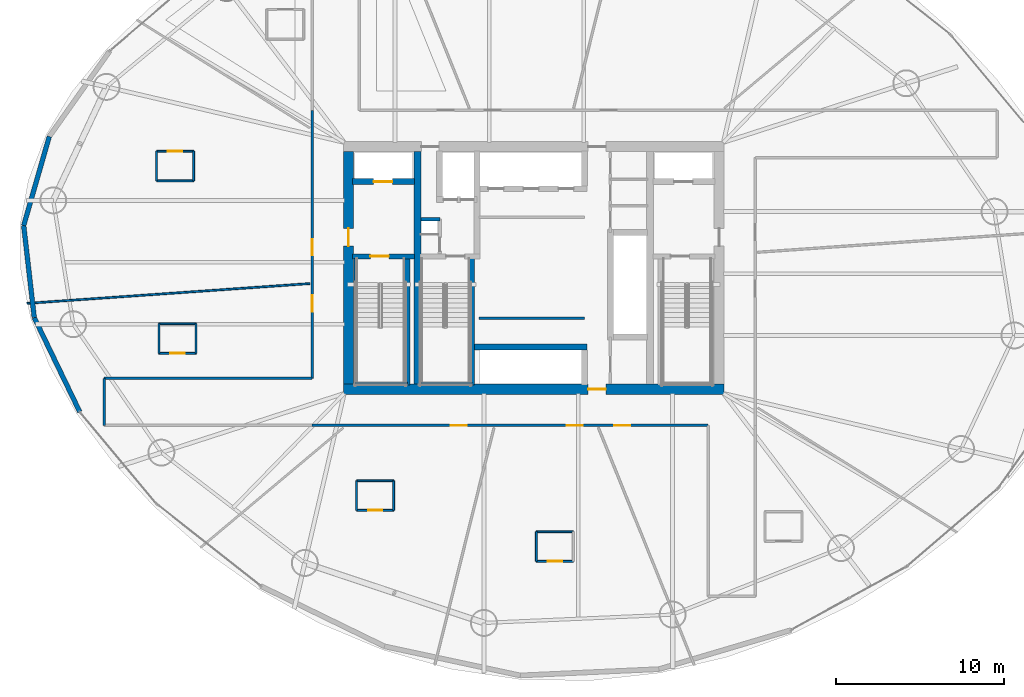
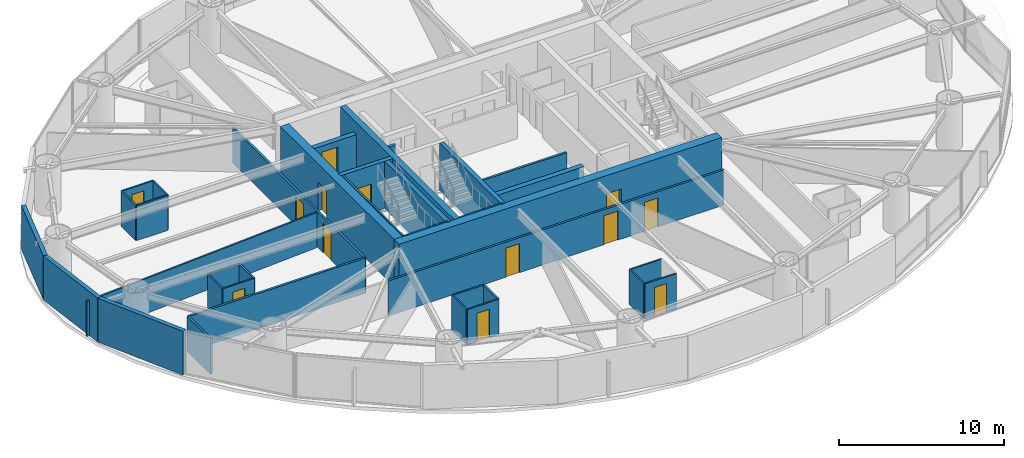
# One storey, part 21 of 25: 36 walls, 13 doors, 13 openings.
"""IFC4 building model written with IfcOpenShell, lengths in metres."""

from ifc_helpers import new_model, si_unit, direction, frame, frame_2d, origin, place, context, subcontext, project, spatial, rectangle, extrude, material, layer, layer_set, type_object, element, fill, save


model = new_model("IFC4")

# Units and contexts
model_context = context("Model", 3, precision=1e-05, world=origin(), true_north=direction((0.0, 1.0)))
body_context = subcontext(model_context, "Body", "Model", "MODEL_VIEW")
ifc_project = project(units=[si_unit("LENGTHUNIT", "METRE"), si_unit("AREAUNIT", "SQUARE_METRE"), si_unit("VOLUMEUNIT", "CUBIC_METRE"), si_unit("PLANEANGLEUNIT", "RADIAN"), si_unit("MASSUNIT", "GRAM", prefix="KILO")], contexts=[model_context])

# Site, building, storey
site_placement = place(None, origin())
site = spatial("IfcSite", under=ifc_project, at=site_placement, CompositionType="ELEMENT")
building_placement = place(site_placement, origin())
building = spatial("IfcBuilding", under=site, at=building_placement, Name="Bramvorn Convention Spire", CompositionType="ELEMENT")
storey_placement = place(building_placement, frame((0.0, 0.0, 55.39990234375)))
storey = spatial("IfcBuildingStorey", under=building, at=storey_placement, Name="L11", CompositionType="ELEMENT", Elevation=55.39990234375)

# Wall, opening, door
ifc_material_1 = material(Name="Concrete C60/70", Category="concrete")
ifc_layer_1 = layer(ifc_material_1, 0.60009765625)
ifc_layer_set_1 = layer_set([ifc_layer_1], Name="Concrete C60/70 - WL-CORE-600")
wall_type_1 = type_object("IfcWallType", Name="WL-CORE-600", PredefinedType="SHEAR", material=ifc_layer_set_1)
wall_1_placement = place(storey_placement, frame((26.699951171875, 18.800048828125, 0.0), z_axis=(0.0, 0.0, 1.0), x_axis=(1.0, 0.0, 0.0)))
wall_1 = element("IfcWall", 1, at=wall_1_placement, inside=storey, type_object=wall_type_1, Name="L11 South RC core shear wall", PredefinedType="SHEAR", context=body_context, shape_type="SweptSolid", body=[
    extrude(rectangle(XDim=22.60009765625, YDim=0.60009765625, at=frame_2d((11.300048828125, 0.0))), origin(), (0.0, 0.0, 1.0), 3.5),
])
opening_1_placement = place(wall_1_placement, frame((14.52001953125, 0.0, 0.0)))
opening_1 = element("IfcOpeningElement", 2, at=opening_1_placement, cuts=wall_1, Name="Opening DL-105", PredefinedType="OPENING", context=body_context, shape_type="SweptSolid", body=[
    extrude(rectangle(XDim=1.050048828125, YDim=2.14990234375, at=frame_2d((0.52490234375, 1.074951171875))), frame((0.0, 0.31005859375, 0.0), z_axis=(0.0, -1.0, 0.0), x_axis=(1.0, 0.0, 0.0)), (0.0, 0.0, 1.0), 0.6201171875),
])
ifc_material_2 = material(Name="Smoke-Sealed Fire Lobby Timber-Core Door", Category="wood")
door_type_1 = type_object("IfcDoorType", Name="DR-LOBBY-1050", OperationType="NOTDEFINED", PredefinedType="DOOR", material=ifc_material_2)
door_1_placement = place(opening_1_placement, origin())
door_1 = element("IfcDoor", 3, at=door_1_placement, inside=storey, type_object=door_type_1, Name="L11 South Lift Lobby fire door", OperationType="SINGLE_SWING_RIGHT", OverallHeight=2.14990234375, OverallWidth=1.050048828125, PredefinedType="DOOR", context=body_context, shape_type="SweptSolid", body=[
    extrude(rectangle(XDim=1.050048828125, YDim=2.14990234375, at=frame_2d((0.52490234375, 1.074951171875))), frame((0.0, 0.02490234375, 0.0), z_axis=(0.0, -1.0, 0.0), x_axis=(1.0, 0.0, 0.0)), (0.0, 0.0, 1.0), 0.050048828125),
])
fill(opening_1, door_1)

wall_2_placement = place(storey_placement, frame((27.0, 19.10009765625, 0.0), z_axis=(0.0, 0.0, 1.0), x_axis=(0.0, 1.0, 0.0)))
wall_2 = element("IfcWall", 4, at=wall_2_placement, inside=storey, type_object=wall_type_1, Name="L11 West RC core shear wall", PredefinedType="SHEAR", context=body_context, shape_type="SweptSolid", body=[
    extrude(rectangle(XDim=13.7998046875, YDim=0.60009765625, at=frame_2d((6.89990234375, 0.0))), origin(), (0.0, 0.0, 1.0), 3.5),
])
opening_2_placement = place(wall_2_placement, frame((8.199951171875, 0.0, 0.0)))
opening_2 = element("IfcOpeningElement", 5, at=opening_2_placement, cuts=wall_2, Name="Opening DL-105", PredefinedType="OPENING", context=body_context, shape_type="SweptSolid", body=[
    extrude(rectangle(XDim=1.050048828125, YDim=2.14990234375, at=frame_2d((0.52490234375, 1.074951171875))), frame((0.0, 0.31005859375, 0.0), z_axis=(0.0, -1.0, 0.0), x_axis=(1.0, 0.0, 0.0)), (0.0, 0.0, 1.0), 0.6201171875),
])
door_2_placement = place(opening_2_placement, origin())
door_2 = element("IfcDoor", 6, at=door_2_placement, inside=storey, type_object=door_type_1, Name="L11 West Firefighting Lobby corridor door", OperationType="SINGLE_SWING_RIGHT", OverallHeight=2.14990234375, OverallWidth=1.050048828125, PredefinedType="DOOR", context=body_context, shape_type="SweptSolid", body=[
    extrude(rectangle(XDim=1.050048828125, YDim=2.14990234375, at=frame_2d((0.52490234375, 1.074951171875))), frame((0.0, 0.02490234375, 0.0), z_axis=(0.0, -1.0, 0.0), x_axis=(1.0, 0.0, 0.0)), (0.0, 0.0, 1.0), 0.050048828125),
])
fill(opening_2, door_2)

ifc_material_3 = material(Name="Concrete C50/60", Category="concrete")
ifc_layer_2 = layer(ifc_material_3, 0.35009765625)
ifc_layer_set_2 = layer_set([ifc_layer_2], Name="Concrete C50/60 - WL-CORE-INT-350")
wall_type_2 = type_object("IfcWallType", Name="WL-CORE-INT-350", PredefinedType="SHEAR", material=ifc_layer_set_2)
wall_3_placement = place(storey_placement, frame((27.25, 31.1201171875, 0.0), z_axis=(0.0, 0.0, 1.0), x_axis=(1.0, 0.0, 0.0)))
wall_3 = element("IfcWall", 7, at=wall_3_placement, inside=storey, type_object=wall_type_2, Name="L11 FE1 shaft front wall", PredefinedType="SHEAR", context=body_context, shape_type="SweptSolid", body=[
    extrude(rectangle(XDim=3.669921875, YDim=0.35009765625, at=frame_2d((1.8349609375, 0.0))), origin(), (0.0, 0.0, 1.0), 2.60009765625),
])
opening_3_placement = place(wall_3_placement, frame((1.25, 0.0, 0.0)))
opening_3 = element("IfcOpeningElement", 8, at=opening_3_placement, cuts=wall_3, Name="Opening LD-110", PredefinedType="OPENING", context=body_context, shape_type="SweptSolid", body=[
    extrude(rectangle(XDim=1.10009765625, YDim=2.14990234375, at=frame_2d((0.550048828125, 1.074951171875))), frame((0.0, 0.18505859375, 0.0), z_axis=(0.0, -1.0, 0.0), x_axis=(1.0, 0.0, 0.0)), (0.0, 0.0, 1.0), 0.3701171875),
])
ifc_material_4 = material(Name="Firefighting & Service Lift Sliding Landing Door", Category="steel")
door_type_2 = type_object("IfcDoorType", Name="DR-LIFT-LD-1100", OperationType="NOTDEFINED", PredefinedType="DOOR", material=ifc_material_4)
door_3_placement = place(opening_3_placement, origin())
door_3 = element("IfcDoor", 9, at=door_3_placement, inside=storey, type_object=door_type_2, Name="L11 Lift FE1 Sliding Landing Door", OperationType="SLIDING_TO_LEFT", OverallHeight=2.14990234375, OverallWidth=1.10009765625, PredefinedType="DOOR", context=body_context, shape_type="SweptSolid", body=[
    extrude(rectangle(XDim=1.10009765625, YDim=2.14990234375, at=frame_2d((0.550048828125, 1.074951171875))), frame((0.0, 0.02490234375, 0.0), z_axis=(0.0, -1.0, 0.0), x_axis=(1.0, 0.0, 0.0)), (0.0, 0.0, 1.0), 0.050048828125),
])
fill(opening_3, door_3)

# Walls
wall_4_placement = place(storey_placement, frame((34.489990234375, 21.300048828125, 0.0), z_axis=(0.0, 0.0, 1.0), x_axis=(1.0, 0.0, 0.0)))
element("IfcWall", 10, at=wall_4_placement, inside=storey, type_object=wall_type_2, Name="L11 Mid-rise bank north landing wall", PredefinedType="SHEAR", context=body_context, shape_type="SweptSolid", body=[
    extrude(rectangle(XDim=6.679931640625, YDim=0.35009765625, at=frame_2d((3.33984375, 0.0))), origin(), (0.0, 0.0, 1.0), 2.60009765625),
])
ifc_layer_3 = layer(ifc_material_1, 0.39990234375)
ifc_layer_set_3 = layer_set([ifc_layer_3], Name="Concrete C60/70 - WL-CORE-INT-400")
wall_type_3 = type_object("IfcWallType", Name="WL-CORE-INT-400", PredefinedType="SHEAR", material=ifc_layer_set_3)
wall_5_placement = place(storey_placement, frame((31.10009765625, 19.10009765625, 0.0), z_axis=(0.0, 0.0, 1.0), x_axis=(0.0, 1.0, 0.0)))
element("IfcWall", 11, at=wall_5_placement, inside=storey, type_object=wall_type_3, Name="L11 West internal core shear web", PredefinedType="SHEAR", context=body_context, shape_type="SweptSolid", body=[
    extrude(rectangle(XDim=13.7998046875, YDim=0.39990234375, at=frame_2d((6.89990234375, 0.0))), origin(), (0.0, 0.0, 1.0), 3.5),
])
ifc_material_5 = material(Name="Precast Concrete C40/50 with Bronze Terracotta Rainscreen", Category="masonry")
ifc_layer_4 = layer(ifc_material_5, 0.300048828125)
ifc_layer_set_4 = layer_set([ifc_layer_4], Name="Precast Concrete C40/50 with Bronze Terracotta Rainscreen - WL-EXT-BRONZE-300")
wall_type_4 = type_object("IfcWallType", Name="WL-EXT-BRONZE-300", PredefinedType="SOLIDWALL", material=ifc_layer_set_4)
wall_6_placement = place(storey_placement, frame((7.724365234375, 28.515625, 0.0), z_axis=(0.0, 0.0, 1.0), x_axis=(0.276263330445, 0.961081979985, 0.0)))
element("IfcWall", 12, at=wall_6_placement, inside=storey, type_object=wall_type_4, Name="L11 expressed bronze Gothic lancet pier wall 12", PredefinedType="SOLIDWALL", context=body_context, shape_type="SweptSolid", body=[
    extrude(rectangle(XDim=5.49755859375, YDim=0.280029296875, at=frame_2d((2.748779296875, 0.0))), origin(), (0.0, 0.0, 1.0), 3.25),
])
wall_7_placement = place(storey_placement, frame((8.350341796875, 23.05419921875, 0.0), z_axis=(0.0, 0.0, 1.0), x_axis=(-0.113872248862, 0.993495400563, 0.0)))
element("IfcWall", 13, at=wall_7_placement, inside=storey, type_object=wall_type_4, Name="L11 expressed bronze Gothic lancet pier wall 13", PredefinedType="SOLIDWALL", context=body_context, shape_type="SweptSolid", body=[
    extrude(rectangle(XDim=5.4970703125, YDim=0.280029296875, at=frame_2d((2.74853515625, 0.0))), origin(), (0.0, 0.0, 1.0), 3.25),
])
wall_8_placement = place(storey_placement, frame((11.05126953125, 17.4599609375, 0.0), z_axis=(0.0, 0.0, 1.0), x_axis=(-0.434783136193, 0.900535187809, 0.0)))
element("IfcWall", 14, at=wall_8_placement, inside=storey, type_object=wall_type_4, Name="L11 expressed bronze Gothic lancet pier wall 14", PredefinedType="SOLIDWALL", context=body_context, shape_type="SweptSolid", body=[
    extrude(rectangle(XDim=6.212158203125, YDim=0.280029296875, at=frame_2d((3.10595703125, 0.0))), origin(), (0.0, 0.0, 1.0), 3.25),
])
ifc_material_6 = material(Name="Lightweight En-Suite & Wet-Wall Partition", Category="gypsum")
ifc_layer_5 = layer(ifc_material_6, 0.110107421875)
ifc_layer_set_5 = layer_set([ifc_layer_5], Name="Lightweight En-Suite & Wet-Wall Partition - WL-PART-110")
wall_type_5 = type_object("IfcWallType", Name="WL-PART-110", PredefinedType="PARTITIONING", material=ifc_layer_set_5)
wall_9_placement = place(storey_placement, frame((24.7099609375, 25.07080078125, 0.0), z_axis=(0.0, 0.0, 1.0), x_axis=(-0.997563188769, -0.069768792538, 0.0)))
element("IfcWall", 15, at=wall_9_placement, inside=storey, type_object=wall_type_5, Name="L11 Guestroom demising wall 6", PredefinedType="PARTITIONING", context=body_context, shape_type="SweptSolid", body=[
    extrude(rectangle(XDim=16.83154296875, YDim=0.110107421875, at=frame_2d((8.415771484375, 0.0))), origin(), (0.0, 0.0, 1.0), 2.60009765625),
])
wall_10_placement = place(storey_placement, frame((15.60888671875, 31.167236328125, 0.0), z_axis=(0.0, 0.0, 1.0), x_axis=(1.0, 0.0, 0.0)))
element("IfcWall", 16, at=wall_10_placement, inside=storey, type_object=wall_type_5, Name="Hotel Suite 1105 en-suite south wall", PredefinedType="PARTITIONING", context=body_context, shape_type="SweptSolid", body=[
    extrude(rectangle(XDim=2.2001953125, YDim=0.110107421875, at=frame_2d((1.10009765625, 0.0))), origin(), (0.0, 0.0, 1.0), 2.60009765625),
])

# Wall, opening, door
wall_11_placement = place(storey_placement, frame((15.60888671875, 32.92724609375, 0.0), z_axis=(0.0, 0.0, 1.0), x_axis=(1.0, 0.0, 0.0)))
wall_11 = element("IfcWall", 17, at=wall_11_placement, inside=storey, type_object=wall_type_5, Name="Hotel Suite 1105 en-suite north wall", PredefinedType="PARTITIONING", context=body_context, shape_type="SweptSolid", body=[
    extrude(rectangle(XDim=2.2001953125, YDim=0.110107421875, at=frame_2d((1.10009765625, 0.0))), origin(), (0.0, 0.0, 1.0), 2.60009765625),
])
opening_4_placement = place(wall_11_placement, frame((0.679931640625, 0.0, 0.0)))
opening_4 = element("IfcOpeningElement", 18, at=opening_4_placement, cuts=wall_11, Name="Opening DI-085", PredefinedType="OPENING", context=body_context, shape_type="SweptSolid", body=[
    extrude(rectangle(XDim=0.85009765625, YDim=2.10009765625, at=frame_2d((0.425048828125, 1.050048828125))), frame((0.0, 0.06494140625, 0.0), z_axis=(0.0, -1.0, 0.0), x_axis=(1.0, 0.0, 0.0)), (0.0, 0.0, 1.0), 0.130126953125),
])
ifc_material_7 = material(Name="En-Suite & Restroom Privacy Door", Category="wood")
door_type_3 = type_object("IfcDoorType", Name="DR-INT-850", OperationType="NOTDEFINED", PredefinedType="DOOR", material=ifc_material_7)
door_4_placement = place(opening_4_placement, origin())
door_4 = element("IfcDoor", 19, at=door_4_placement, inside=storey, type_object=door_type_3, Name="Hotel Suite 1105 En-Suite Bathroom door", OperationType="SINGLE_SWING_LEFT", OverallHeight=2.10009765625, OverallWidth=0.85009765625, PredefinedType="DOOR", context=body_context, shape_type="SweptSolid", body=[
    extrude(rectangle(XDim=0.85009765625, YDim=2.10009765625, at=frame_2d((0.425048828125, 1.050048828125))), frame((0.0, 0.02490234375, 0.0), z_axis=(0.0, -1.0, 0.0), x_axis=(1.0, 0.0, 0.0)), (0.0, 0.0, 1.0), 0.050048828125),
])
fill(opening_4, door_4)

# Walls
for number, where, z_axis, x_axis, name in (
    (20, (15.60888671875, 31.167236328125, 0.0), (0.0, 0.0, 1.0), (0.0, 1.0, 0.0), "Hotel Suite 1105 en-suite west wall"),
    (21, (17.80908203125, 31.167236328125, 0.0), (0.0, 0.0, 1.0), (0.0, 1.0, 0.0), "Hotel Suite 1105 en-suite east wall"),
):
    element("IfcWall", number, at=place(storey_placement, frame(where, z_axis=z_axis, x_axis=x_axis)), inside=storey, type_object=wall_type_5, Name=name, PredefinedType="PARTITIONING", context=body_context, shape_type="SweptSolid", body=[
        extrude(rectangle(XDim=1.760009765625, YDim=0.110107421875, at=frame_2d((0.8798828125, 0.0))), origin(), (0.0, 0.0, 1.0), 2.60009765625),
    ])

# Wall, opening, door
wall_12_placement = place(storey_placement, frame((15.751708984375, 20.9296875, 0.0), z_axis=(0.0, 0.0, 1.0), x_axis=(1.0, 0.0, 0.0)))
wall_12 = element("IfcWall", 22, at=wall_12_placement, inside=storey, type_object=wall_type_5, Name="Hotel Suite 1106 en-suite south wall", PredefinedType="PARTITIONING", context=body_context, shape_type="SweptSolid", body=[
    extrude(rectangle(XDim=2.199951171875, YDim=0.110107421875, at=frame_2d((1.10009765625, 0.0))), origin(), (0.0, 0.0, 1.0), 2.60009765625),
])
opening_5_placement = place(wall_12_placement, frame((0.679931640625, 0.0, 0.0)))
opening_5 = element("IfcOpeningElement", 23, at=opening_5_placement, cuts=wall_12, Name="Opening DI-085", PredefinedType="OPENING", context=body_context, shape_type="SweptSolid", body=[
    extrude(rectangle(XDim=0.85009765625, YDim=2.10009765625, at=frame_2d((0.425048828125, 1.050048828125))), frame((0.0, 0.06494140625, 0.0), z_axis=(0.0, -1.0, 0.0), x_axis=(1.0, 0.0, 0.0)), (0.0, 0.0, 1.0), 0.130126953125),
])
door_5_placement = place(opening_5_placement, origin())
door_5 = element("IfcDoor", 24, at=door_5_placement, inside=storey, type_object=door_type_3, Name="Hotel Suite 1106 En-Suite Bathroom door", OperationType="SINGLE_SWING_LEFT", OverallHeight=2.10009765625, OverallWidth=0.85009765625, PredefinedType="DOOR", context=body_context, shape_type="SweptSolid", body=[
    extrude(rectangle(XDim=0.85009765625, YDim=2.10009765625, at=frame_2d((0.425048828125, 1.050048828125))), frame((0.0, 0.02490234375, 0.0), z_axis=(0.0, -1.0, 0.0), x_axis=(1.0, 0.0, 0.0)), (0.0, 0.0, 1.0), 0.050048828125),
])
fill(opening_5, door_5)

# Walls
wall_13_placement = place(storey_placement, frame((15.751708984375, 22.689697265625, 0.0), z_axis=(0.0, 0.0, 1.0), x_axis=(1.0, 0.0, 0.0)))
element("IfcWall", 25, at=wall_13_placement, inside=storey, type_object=wall_type_5, Name="Hotel Suite 1106 en-suite north wall", PredefinedType="PARTITIONING", context=body_context, shape_type="SweptSolid", body=[
    extrude(rectangle(XDim=2.199951171875, YDim=0.110107421875, at=frame_2d((1.10009765625, 0.0))), origin(), (0.0, 0.0, 1.0), 2.60009765625),
])
for number, where, z_axis, x_axis, name in (
    (26, (15.751708984375, 20.9296875, 0.0), (0.0, 0.0, 1.0), (0.0, 1.0, 0.0), "Hotel Suite 1106 en-suite west wall"),
    (27, (17.95166015625, 20.9296875, 0.0), (0.0, 0.0, 1.0), (0.0, 1.0, 0.0), "Hotel Suite 1106 en-suite east wall"),
):
    element("IfcWall", number, at=place(storey_placement, frame(where, z_axis=z_axis, x_axis=x_axis)), inside=storey, type_object=wall_type_5, Name=name, PredefinedType="PARTITIONING", context=body_context, shape_type="SweptSolid", body=[
        extrude(rectangle(XDim=1.760009765625, YDim=0.110107421875, at=frame_2d((0.8798828125, 0.0))), origin(), (0.0, 0.0, 1.0), 2.60009765625),
    ])

# Wall, opening, door
wall_14_placement = place(storey_placement, frame((27.479248046875, 11.608154296875, 0.0), z_axis=(0.0, 0.0, 1.0), x_axis=(1.0, 0.0, 0.0)))
wall_14 = element("IfcWall", 28, at=wall_14_placement, inside=storey, type_object=wall_type_5, Name="Hotel Suite 1107 en-suite south wall", PredefinedType="PARTITIONING", context=body_context, shape_type="SweptSolid", body=[
    extrude(rectangle(XDim=2.199951171875, YDim=0.110107421875, at=frame_2d((1.10009765625, 0.0))), origin(), (0.0, 0.0, 1.0), 2.60009765625),
])
opening_6_placement = place(wall_14_placement, frame((0.679931640625, 0.0, 0.0)))
opening_6 = element("IfcOpeningElement", 29, at=opening_6_placement, cuts=wall_14, Name="Opening DI-085", PredefinedType="OPENING", context=body_context, shape_type="SweptSolid", body=[
    extrude(rectangle(XDim=0.85009765625, YDim=2.10009765625, at=frame_2d((0.425048828125, 1.050048828125))), frame((0.0, 0.06494140625, 0.0), z_axis=(0.0, -1.0, 0.0), x_axis=(1.0, 0.0, 0.0)), (0.0, 0.0, 1.0), 0.130126953125),
])
door_6_placement = place(opening_6_placement, origin())
door_6 = element("IfcDoor", 30, at=door_6_placement, inside=storey, type_object=door_type_3, Name="Hotel Suite 1107 En-Suite Bathroom door", OperationType="SINGLE_SWING_LEFT", OverallHeight=2.10009765625, OverallWidth=0.85009765625, PredefinedType="DOOR", context=body_context, shape_type="SweptSolid", body=[
    extrude(rectangle(XDim=0.85009765625, YDim=2.10009765625, at=frame_2d((0.425048828125, 1.050048828125))), frame((0.0, 0.02490234375, 0.0), z_axis=(0.0, -1.0, 0.0), x_axis=(1.0, 0.0, 0.0)), (0.0, 0.0, 1.0), 0.050048828125),
])
fill(opening_6, door_6)

# Walls
wall_15_placement = place(storey_placement, frame((27.479248046875, 13.3681640625, 0.0), z_axis=(0.0, 0.0, 1.0), x_axis=(1.0, 0.0, 0.0)))
element("IfcWall", 31, at=wall_15_placement, inside=storey, type_object=wall_type_5, Name="Hotel Suite 1107 en-suite north wall", PredefinedType="PARTITIONING", context=body_context, shape_type="SweptSolid", body=[
    extrude(rectangle(XDim=2.199951171875, YDim=0.110107421875, at=frame_2d((1.10009765625, 0.0))), origin(), (0.0, 0.0, 1.0), 2.60009765625),
])
for number, where, z_axis, x_axis, name in (
    (32, (27.479248046875, 11.608154296875, 0.0), (0.0, 0.0, 1.0), (0.0, 1.0, 0.0), "Hotel Suite 1107 en-suite west wall"),
    (33, (29.67919921875, 11.608154296875, 0.0), (0.0, 0.0, 1.0), (0.0, 1.0, 0.0), "Hotel Suite 1107 en-suite east wall"),
):
    element("IfcWall", number, at=place(storey_placement, frame(where, z_axis=z_axis, x_axis=x_axis)), inside=storey, type_object=wall_type_5, Name=name, PredefinedType="PARTITIONING", context=body_context, shape_type="SweptSolid", body=[
        extrude(rectangle(XDim=1.760009765625, YDim=0.110107421875, at=frame_2d((0.8798828125, 0.0))), origin(), (0.0, 0.0, 1.0), 2.60009765625),
    ])

# Wall, opening, door
wall_16_placement = place(storey_placement, frame((38.150390625, 8.58349609375, 0.0), z_axis=(0.0, 0.0, 1.0), x_axis=(1.0, 0.0, 0.0)))
wall_16 = element("IfcWall", 34, at=wall_16_placement, inside=storey, type_object=wall_type_5, Name="Hotel Suite 1108 en-suite south wall", PredefinedType="PARTITIONING", context=body_context, shape_type="SweptSolid", body=[
    extrude(rectangle(XDim=2.199951171875, YDim=0.110107421875, at=frame_2d((1.10009765625, 0.0))), origin(), (0.0, 0.0, 1.0), 2.60009765625),
])
opening_7_placement = place(wall_16_placement, frame((0.679931640625, 0.0, 0.0)))
opening_7 = element("IfcOpeningElement", 35, at=opening_7_placement, cuts=wall_16, Name="Opening DI-085", PredefinedType="OPENING", context=body_context, shape_type="SweptSolid", body=[
    extrude(rectangle(XDim=0.85009765625, YDim=2.10009765625, at=frame_2d((0.425048828125, 1.050048828125))), frame((0.0, 0.06494140625, 0.0), z_axis=(0.0, -1.0, 0.0), x_axis=(1.0, 0.0, 0.0)), (0.0, 0.0, 1.0), 0.130126953125),
])
door_7_placement = place(opening_7_placement, origin())
door_7 = element("IfcDoor", 36, at=door_7_placement, inside=storey, type_object=door_type_3, Name="Hotel Suite 1108 En-Suite Bathroom door", OperationType="SINGLE_SWING_LEFT", OverallHeight=2.10009765625, OverallWidth=0.85009765625, PredefinedType="DOOR", context=body_context, shape_type="SweptSolid", body=[
    extrude(rectangle(XDim=0.85009765625, YDim=2.10009765625, at=frame_2d((0.425048828125, 1.050048828125))), frame((0.0, 0.02490234375, 0.0), z_axis=(0.0, -1.0, 0.0), x_axis=(1.0, 0.0, 0.0)), (0.0, 0.0, 1.0), 0.050048828125),
])
fill(opening_7, door_7)

# Walls
wall_17_placement = place(storey_placement, frame((38.150390625, 10.343505859375, 0.0), z_axis=(0.0, 0.0, 1.0), x_axis=(1.0, 0.0, 0.0)))
element("IfcWall", 37, at=wall_17_placement, inside=storey, type_object=wall_type_5, Name="Hotel Suite 1108 en-suite north wall", PredefinedType="PARTITIONING", context=body_context, shape_type="SweptSolid", body=[
    extrude(rectangle(XDim=2.199951171875, YDim=0.110107421875, at=frame_2d((1.10009765625, 0.0))), origin(), (0.0, 0.0, 1.0), 2.60009765625),
])
wall_18_placement = place(storey_placement, frame((38.150390625, 8.58349609375, 0.0), z_axis=(0.0, 0.0, 1.0), x_axis=(0.0, 1.0, 0.0)))
element("IfcWall", 38, at=wall_18_placement, inside=storey, type_object=wall_type_5, Name="Hotel Suite 1108 en-suite west wall", PredefinedType="PARTITIONING", context=body_context, shape_type="SweptSolid", body=[
    extrude(rectangle(XDim=1.760009765625, YDim=0.110107421875, at=frame_2d((0.8798828125, 0.0))), origin(), (0.0, 0.0, 1.0), 2.60009765625),
])
ifc_material_8 = material(Name="Acoustic Metal-Stud Tenant/Corridor Partition", Category="gypsum")
ifc_layer_6 = layer(ifc_material_8, 0.14990234375)
ifc_layer_set_6 = layer_set([ifc_layer_6], Name="Acoustic Metal-Stud Tenant/Corridor Partition - WL-PART-150")
wall_type_6 = type_object("IfcWallType", Name="WL-PART-150", PredefinedType="PARTITIONING", material=ifc_layer_set_6)
wall_19_placement = place(storey_placement, frame((34.75, 23.0, 0.0), z_axis=(0.0, 0.0, 1.0), x_axis=(1.0, 0.0, 0.0)))
element("IfcWall", 39, at=wall_19_placement, inside=storey, type_object=wall_type_6, Name="L11 Mid-rise lift vestibule north wall", PredefinedType="PARTITIONING", context=body_context, shape_type="SweptSolid", body=[
    extrude(rectangle(XDim=6.25, YDim=0.14990234375, at=frame_2d((3.125, 0.0))), origin(), (0.0, 0.0, 1.0), 2.60009765625),
])

# Wall, openings, doors
wall_20_placement = place(storey_placement, frame((24.85009765625, 16.64990234375, 0.0), z_axis=(0.0, 0.0, 1.0), x_axis=(1.0, 0.0, 0.0)))
wall_20 = element("IfcWall", 40, at=wall_20_placement, inside=storey, type_object=wall_type_6, Name="L11 South ring corridor wall", PredefinedType="PARTITIONING", context=body_context, shape_type="SweptSolid", body=[
    extrude(rectangle(XDim=23.5, YDim=0.14990234375, at=frame_2d((11.75, 0.0))), origin(), (0.0, 0.0, 1.0), 2.60009765625),
])
opening_8_placement = place(wall_20_placement, frame((8.21630859375, 0.0, 0.0)))
opening_8 = element("IfcOpeningElement", 41, at=opening_8_placement, cuts=wall_20, Name="Opening DH-095", PredefinedType="OPENING", context=body_context, shape_type="SweptSolid", body=[
    extrude(rectangle(XDim=0.949951171875, YDim=2.14990234375, at=frame_2d((0.47509765625, 1.074951171875))), frame((0.0, 0.0849609375, 0.0), z_axis=(0.0, -1.0, 0.0), x_axis=(1.0, 0.0, 0.0)), (0.0, 0.0, 1.0), 0.169921875),
])
opening_9_placement = place(wall_20_placement, frame((15.102783203125, 0.0, 0.0)))
opening_9 = element("IfcOpeningElement", 42, at=opening_9_placement, cuts=wall_20, Name="Opening DH-095", PredefinedType="OPENING", context=body_context, shape_type="SweptSolid", body=[
    extrude(rectangle(XDim=0.949951171875, YDim=2.14990234375, at=frame_2d((0.47509765625, 1.074951171875))), frame((0.0, 0.0849609375, 0.0), z_axis=(0.0, -1.0, 0.0), x_axis=(1.0, 0.0, 0.0)), (0.0, 0.0, 1.0), 0.169921875),
])
opening_10_placement = place(wall_20_placement, frame((17.909912109375, 0.0, 0.0)))
opening_10 = element("IfcOpeningElement", 43, at=opening_10_placement, cuts=wall_20, Name="Opening DH-095", PredefinedType="OPENING", context=body_context, shape_type="SweptSolid", body=[
    extrude(rectangle(XDim=0.949951171875, YDim=2.14990234375, at=frame_2d((0.47509765625, 1.074951171875))), frame((0.0, 0.0849609375, 0.0), z_axis=(0.0, -1.0, 0.0), x_axis=(1.0, 0.0, 0.0)), (0.0, 0.0, 1.0), 0.169921875),
])
ifc_material_9 = material(Name="Solid-Core Acoustic Guestroom Entry Door", Category="wood")
door_type_4 = type_object("IfcDoorType", Name="DR-HOTEL-950", OperationType="NOTDEFINED", PredefinedType="DOOR", material=ifc_material_9)
door_8_placement = place(opening_8_placement, origin())
door_8 = element("IfcDoor", 44, at=door_8_placement, inside=storey, type_object=door_type_4, Name="Hotel Suite 1107 entry door", OperationType="SINGLE_SWING_LEFT", OverallHeight=2.14990234375, OverallWidth=0.949951171875, PredefinedType="DOOR", context=body_context, shape_type="SweptSolid", body=[
    extrude(rectangle(XDim=0.949951171875, YDim=2.14990234375, at=frame_2d((0.47509765625, 1.074951171875))), frame((0.0, 0.02490234375, 0.0), z_axis=(0.0, -1.0, 0.0), x_axis=(1.0, 0.0, 0.0)), (0.0, 0.0, 1.0), 0.050048828125),
])
fill(opening_8, door_8)
door_9_placement = place(opening_9_placement, origin())
door_9 = element("IfcDoor", 45, at=door_9_placement, inside=storey, type_object=door_type_4, Name="Hotel Suite 1108 entry door", OperationType="SINGLE_SWING_LEFT", OverallHeight=2.14990234375, OverallWidth=0.949951171875, PredefinedType="DOOR", context=body_context, shape_type="SweptSolid", body=[
    extrude(rectangle(XDim=0.949951171875, YDim=2.14990234375, at=frame_2d((0.47509765625, 1.074951171875))), frame((0.0, 0.02490234375, 0.0), z_axis=(0.0, -1.0, 0.0), x_axis=(1.0, 0.0, 0.0)), (0.0, 0.0, 1.0), 0.050048828125),
])
fill(opening_9, door_9)
door_10_placement = place(opening_10_placement, origin())
door_10 = element("IfcDoor", 46, at=door_10_placement, inside=storey, type_object=door_type_4, Name="Hotel Suite 1109 entry door", OperationType="SINGLE_SWING_RIGHT", OverallHeight=2.14990234375, OverallWidth=0.949951171875, PredefinedType="DOOR", context=body_context, shape_type="SweptSolid", body=[
    extrude(rectangle(XDim=0.949951171875, YDim=2.14990234375, at=frame_2d((0.47509765625, 1.074951171875))), frame((0.0, 0.02490234375, 0.0), z_axis=(0.0, -1.0, 0.0), x_axis=(1.0, 0.0, 0.0)), (0.0, 0.0, 1.0), 0.050048828125),
])
fill(opening_10, door_10)

wall_21_placement = place(storey_placement, frame((24.85009765625, 19.449951171875, 0.0), z_axis=(0.0, 0.0, 1.0), x_axis=(0.0, 1.0, 0.0)))
wall_21 = element("IfcWall", 47, at=wall_21_placement, inside=storey, type_object=wall_type_6, Name="L11 West ring corridor wall", PredefinedType="PARTITIONING", context=body_context, shape_type="SweptSolid", body=[
    extrude(rectangle(XDim=15.900146484375, YDim=0.14990234375, at=frame_2d((7.9501953125, 0.0))), origin(), (0.0, 0.0, 1.0), 2.60009765625),
])
opening_11_placement = place(wall_21_placement, frame((7.305419921875, 0.0, 0.0)))
opening_11 = element("IfcOpeningElement", 48, at=opening_11_placement, cuts=wall_21, Name="Opening DH-095", PredefinedType="OPENING", context=body_context, shape_type="SweptSolid", body=[
    extrude(rectangle(XDim=0.949951171875, YDim=2.14990234375, at=frame_2d((0.47509765625, 1.074951171875))), frame((0.0, 0.0849609375, 0.0), z_axis=(0.0, -1.0, 0.0), x_axis=(1.0, 0.0, 0.0)), (0.0, 0.0, 1.0), 0.169921875),
])
opening_12_placement = place(wall_21_placement, frame((3.9638671875, 0.0, 0.0)))
opening_12 = element("IfcOpeningElement", 49, at=opening_12_placement, cuts=wall_21, Name="Opening DH-095", PredefinedType="OPENING", context=body_context, shape_type="SweptSolid", body=[
    extrude(rectangle(XDim=0.949951171875, YDim=2.14990234375, at=frame_2d((0.47509765625, 1.074951171875))), frame((0.0, 0.0849609375, 0.0), z_axis=(0.0, -1.0, 0.0), x_axis=(1.0, 0.0, 0.0)), (0.0, 0.0, 1.0), 0.169921875),
])
door_11_placement = place(opening_11_placement, origin())
door_11 = element("IfcDoor", 50, at=door_11_placement, inside=storey, type_object=door_type_4, Name="Hotel Suite 1105 entry door", OperationType="SINGLE_SWING_LEFT", OverallHeight=2.14990234375, OverallWidth=0.949951171875, PredefinedType="DOOR", context=body_context, shape_type="SweptSolid", body=[
    extrude(rectangle(XDim=0.949951171875, YDim=2.14990234375, at=frame_2d((0.47509765625, 1.074951171875))), frame((0.0, 0.02490234375, 0.0), z_axis=(0.0, -1.0, 0.0), x_axis=(1.0, 0.0, 0.0)), (0.0, 0.0, 1.0), 0.050048828125),
])
fill(opening_11, door_11)
door_12_placement = place(opening_12_placement, origin())
door_12 = element("IfcDoor", 51, at=door_12_placement, inside=storey, type_object=door_type_4, Name="Hotel Suite 1106 entry door", OperationType="SINGLE_SWING_LEFT", OverallHeight=2.14990234375, OverallWidth=0.949951171875, PredefinedType="DOOR", context=body_context, shape_type="SweptSolid", body=[
    extrude(rectangle(XDim=0.949951171875, YDim=2.14990234375, at=frame_2d((0.47509765625, 1.074951171875))), frame((0.0, 0.02490234375, 0.0), z_axis=(0.0, -1.0, 0.0), x_axis=(1.0, 0.0, 0.0)), (0.0, 0.0, 1.0), 0.050048828125),
])
fill(opening_12, door_12)

# Walls
wall_22_placement = place(storey_placement, frame((12.49365234375, 19.449951171875, 0.0), z_axis=(0.0, 0.0, 1.0), x_axis=(1.0, 0.0, 0.0)))
element("IfcWall", 52, at=wall_22_placement, inside=storey, type_object=wall_type_6, Name="L11 SW pinwheel wing north wall", PredefinedType="PARTITIONING", context=body_context, shape_type="SweptSolid", body=[
    extrude(rectangle(XDim=12.3564453125, YDim=0.14990234375, at=frame_2d((6.17822265625, 0.0))), origin(), (0.0, 0.0, 1.0), 2.60009765625),
])
wall_23_placement = place(storey_placement, frame((12.49365234375, 16.64990234375, 0.0), z_axis=(0.0, 0.0, 1.0), x_axis=(0.0, 1.0, 0.0)))
element("IfcWall", 53, at=wall_23_placement, inside=storey, type_object=wall_type_6, Name="L11 SW pinwheel end wall", PredefinedType="PARTITIONING", context=body_context, shape_type="SweptSolid", body=[
    extrude(rectangle(XDim=2.800048828125, YDim=0.14990234375, at=frame_2d((1.39990234375, 0.0))), origin(), (0.0, 0.0, 1.0), 2.60009765625),
])
ifc_material_10 = material(Name="Gypsum Shaftwall & Rockwool Core Partition", Category="gypsum")
ifc_layer_7 = layer(ifc_material_10, 0.199951171875)
ifc_layer_set_7 = layer_set([ifc_layer_7], Name="Gypsum Shaftwall & Rockwool Core Partition - WL-PART-200-FR")
wall_type_7 = type_object("IfcWallType", Name="WL-PART-200-FR", PredefinedType="PARTITIONING", material=ifc_layer_set_7)
wall_24_placement = place(storey_placement, frame((31.300048828125, 28.89990234375, 0.0), z_axis=(0.0, 0.0, 1.0), x_axis=(1.0, 0.0, 0.0)))
element("IfcWall", 54, at=wall_24_placement, inside=storey, type_object=wall_type_7, Name="L11 Telecom riser north wall", PredefinedType="PARTITIONING", context=body_context, shape_type="SweptSolid", body=[
    extrude(rectangle(XDim=1.119873046875, YDim=0.199951171875, at=frame_2d((0.56005859375, 0.0))), origin(), (0.0, 0.0, 1.0), 2.60009765625),
])

# Wall, opening, door
ifc_layer_8 = layer(ifc_material_3, 0.300048828125)
ifc_layer_set_8 = layer_set([ifc_layer_8], Name="Concrete C50/60 - WL-POD-STAIR-300")
wall_type_8 = type_object("IfcWallType", Name="WL-POD-STAIR-300", PredefinedType="SHEAR", material=ifc_layer_set_8)
wall_25_placement = place(storey_placement, frame((27.25, 26.68994140625, 0.0), z_axis=(0.0, 0.0, 1.0), x_axis=(1.0, 0.0, 0.0)))
wall_25 = element("IfcWall", 55, at=wall_25_placement, inside=storey, type_object=wall_type_8, Name="L11 ST1 north fire wall", PredefinedType="SHEAR", context=body_context, shape_type="SweptSolid", body=[
    extrude(rectangle(XDim=3.669921875, YDim=0.300048828125, at=frame_2d((1.8349609375, 0.0))), origin(), (0.0, 0.0, 1.0), 3.5),
])
opening_13_placement = place(wall_25_placement, frame((1.050048828125, 0.0, 0.0)))
opening_13 = element("IfcOpeningElement", 56, at=opening_13_placement, cuts=wall_25, Name="Opening DS-110", PredefinedType="OPENING", context=body_context, shape_type="SweptSolid", body=[
    extrude(rectangle(XDim=1.10009765625, YDim=2.14990234375, at=frame_2d((0.550048828125, 1.074951171875))), frame((0.0, 0.159912109375, 0.0), z_axis=(0.0, -1.0, 0.0), x_axis=(1.0, 0.0, 0.0)), (0.0, 0.0, 1.0), 0.320068359375),
])
ifc_material_11 = material(Name="Fire-Rated Hollow Steel Stairwell Door", Category="steel")
door_type_5 = type_object("IfcDoorType", Name="DR-STAIR-1100", OperationType="NOTDEFINED", PredefinedType="DOOR", material=ifc_material_11)
door_13_placement = place(opening_13_placement, origin())
door_13 = element("IfcDoor", 57, at=door_13_placement, inside=storey, type_object=door_type_5, Name="L11 Stair ST1 fire door", OperationType="SINGLE_SWING_LEFT", OverallHeight=2.14990234375, OverallWidth=1.10009765625, PredefinedType="DOOR", context=body_context, shape_type="SweptSolid", body=[
    extrude(rectangle(XDim=1.10009765625, YDim=2.14990234375, at=frame_2d((0.550048828125, 1.074951171875))), frame((0.0, 0.02490234375, 0.0), z_axis=(0.0, -1.0, 0.0), x_axis=(1.0, 0.0, 0.0)), (0.0, 0.0, 1.0), 0.050048828125),
])
fill(opening_13, door_13)

# Walls
for number, where, z_axis, x_axis, name in (
    (58, (30.489990234375, 19.050048828125, 0.0), (0.0, 0.0, 1.0), (0.0, 1.0, 0.0), "L11 ST1 east bearing wall"),
    (59, (34.340087890625, 19.050048828125, 0.0), (0.0, 0.0, 1.0), (0.0, 1.0, 0.0), "L11 ST3 east bearing wall"),
):
    element("IfcWall", number, at=place(storey_placement, frame(where, z_axis=z_axis, x_axis=x_axis)), inside=storey, type_object=wall_type_8, Name=name, PredefinedType="SHEAR", context=body_context, shape_type="SweptSolid", body=[
        extrude(rectangle(XDim=7.5, YDim=0.300048828125, at=frame_2d((3.75, 0.0))), origin(), (0.0, 0.0, 1.0), 3.5),
    ])
ifc_layer_9 = layer(ifc_material_3, 0.1201171875)
ifc_layer_set_9 = layer_set([ifc_layer_9], Name="Concrete C50/60 - WL-STAIR-RC-120")
wall_type_9 = type_object("IfcWallType", Name="WL-STAIR-RC-120", PredefinedType="SHEAR", material=ifc_layer_set_9)
wall_26_placement = place(storey_placement, frame((27.39501953125, 19.10009765625, 0.0), z_axis=(0.0, 0.0, 1.0), x_axis=(0.0, 1.0, 0.0)))
element("IfcWall", 60, at=wall_26_placement, inside=storey, type_object=wall_type_9, Name="L11 ST1 west bearing shear wall", PredefinedType="SHEAR", context=body_context, shape_type="SweptSolid", body=[
    extrude(rectangle(XDim=7.449951171875, YDim=0.1201171875, at=frame_2d((3.72509765625, 0.0))), origin(), (0.0, 0.0, 1.0), 3.5),
])
wall_27_placement = place(storey_placement, frame((27.39501953125, 19.159912109375, 0.0), z_axis=(0.0, 0.0, 1.0), x_axis=(1.0, 0.0, 0.0)))
element("IfcWall", 61, at=wall_27_placement, inside=storey, type_object=wall_type_9, Name="L11 ST1 south bearing shear wall", PredefinedType="SHEAR", context=body_context, shape_type="SweptSolid", body=[
    extrude(rectangle(XDim=3.094970703125, YDim=0.1201171875, at=frame_2d((1.54736328125, 0.0))), origin(), (0.0, 0.0, 1.0), 3.5),
])
wall_28_placement = place(storey_placement, frame((31.300048828125, 19.159912109375, 0.0), z_axis=(0.0, 0.0, 1.0), x_axis=(1.0, 0.0, 0.0)))
element("IfcWall", 62, at=wall_28_placement, inside=storey, type_object=wall_type_9, Name="L11 ST3 south bearing shear wall", PredefinedType="SHEAR", context=body_context, shape_type="SweptSolid", body=[
    extrude(rectangle(XDim=3.0400390625, YDim=0.1201171875, at=frame_2d((1.52001953125, 0.0))), origin(), (0.0, 0.0, 1.0), 3.5),
])

save(model, "model.ifc")
